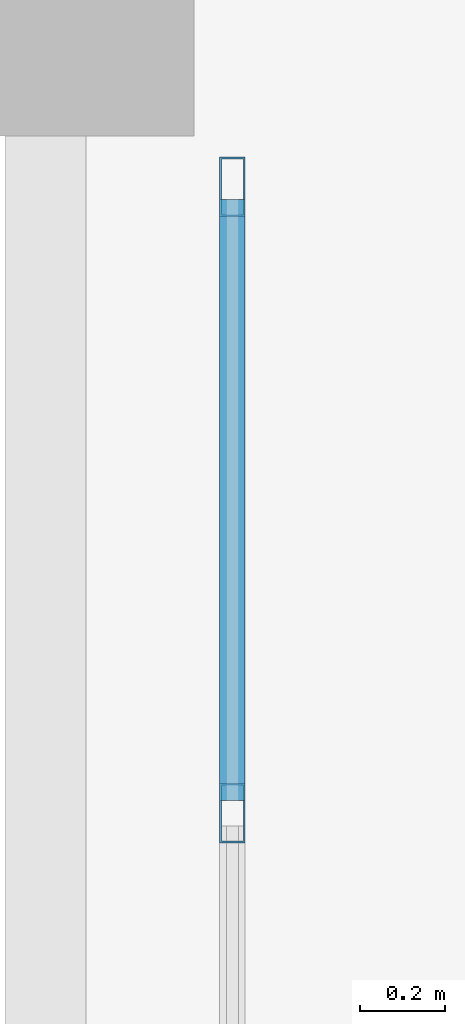
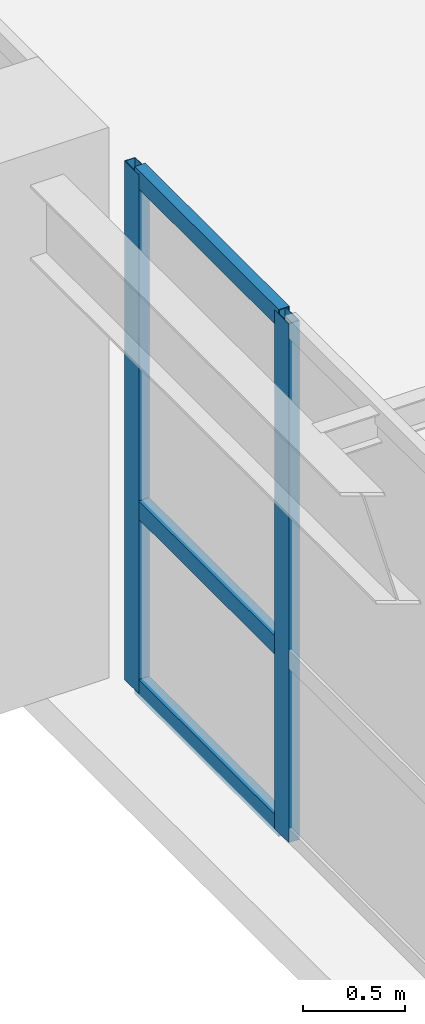
# One storey, part 33 of 148: 5 members, 1 element without a shape of its own.
"""IFC4 building model written with IfcOpenShell, lengths in metres."""

import ifcopenshell
import ifcopenshell.guid

model = None  # the IFC model being written
_history = None  # IfcOwnerHistory: only IFC2X3 demands one
_inside = {}  # id of a spatial element -> (the spatial element, [elements in it])
_under = {}  # id of a project, library or spatial element -> (it, [spatial elements below it])
_declared = {}  # id of a project -> (the project, [libraries it declares])
_typed = {}  # id of a type object -> (the type object, [elements of that type])
_made_of = {}  # id of a material, layer set ... -> (it, [elements and type objects made of it])


def new_model(schema):
    """Start an empty IFC model of exactly this schema.

    Asked for "IFC4X3", IfcOpenShell would pick the latest addendum, in which some entities
    have other attributes; the version numbers below select the first issue.
    IFC2X3 requires an IfcOwnerHistory on every rooted entity: one is made here for all.
    """
    global model, _history
    if schema == "IFC4X3":
        model = ifcopenshell.file(schema_version=(4, 3, 0, 0))
    else:
        model = ifcopenshell.file(schema=schema)
    _inside.clear()
    _under.clear()
    _declared.clear()
    _typed.clear()
    _made_of.clear()
    _history = None
    if model.schema == "IFC2X3":
        org = make("IfcOrganization", Name="unknown")
        user = make(
            "IfcPersonAndOrganization",
            ThePerson=make("IfcPerson", FamilyName="unknown"),
            TheOrganization=org,
        )
        app = make(
            "IfcApplication",
            ApplicationDeveloper=org,
            Version="unknown",
            ApplicationFullName="unknown",
            ApplicationIdentifier="unknown",
        )
        _history = make(
            "IfcOwnerHistory",
            OwningUser=user,
            OwningApplication=app,
            ChangeAction="ADDED",
            CreationDate=0,
        )
    return model


def make(cls, **values):
    """One entity of the class cls with the attributes given. An attribute that is None is left unset."""
    return model.create_entity(
        cls, **{name: value for name, value in values.items() if value is not None}
    )


def rooted(cls, **values):
    """An entity with a GlobalId (a new one), such as an element, a storey or a relation."""
    return make(cls, GlobalId=ifcopenshell.guid.new(), OwnerHistory=_history, **values)


def si_unit(unit_type, name, prefix=None):
    """IfcSIUnit, for example si_unit("LENGTHUNIT", "METRE", prefix="MILLI")."""
    return make("IfcSIUnit", UnitType=unit_type, Prefix=prefix, Name=name)


def assignment(units):
    """IfcUnitAssignment: the units of a project."""
    return None if units is None else make("IfcUnitAssignment", Units=units)


def point(xyz):
    """IfcCartesianPoint."""
    return None if xyz is None else make("IfcCartesianPoint", Coordinates=xyz)


def direction(xyz):
    """IfcDirection."""
    return None if xyz is None else make("IfcDirection", DirectionRatios=xyz)


def frame(location, z_axis=None, x_axis=None):
    """IfcAxis2Placement3D, a coordinate frame: its origin and axes. An axis left out is left unset."""
    return make(
        "IfcAxis2Placement3D",
        Location=point(location),
        Axis=direction(z_axis),
        RefDirection=direction(x_axis),
    )


def frame_2d(location, x_axis=None):
    """IfcAxis2Placement2D, a coordinate frame in the plane: its origin and x axis."""
    return make(
        "IfcAxis2Placement2D", Location=point(location), RefDirection=direction(x_axis)
    )


def origin():
    """The frame at (0, 0, 0) with its axes left unset."""
    return frame((0.0, 0.0, 0.0))


def origin_2d():
    """The frame at (0, 0) in the plane with its x axis left unset."""
    return frame_2d((0.0, 0.0))


def place(relative_to, where):
    """IfcLocalPlacement: puts the frame where relative to a parent placement (None: the world)."""
    return make(
        "IfcLocalPlacement", PlacementRelTo=relative_to, RelativePlacement=where
    )


def context(
    kind, dimensions, precision=None, world=None, true_north=None, identifier=None
):
    """IfcGeometricRepresentationContext, for example the 3D "Model" context."""
    return make(
        "IfcGeometricRepresentationContext",
        ContextIdentifier=identifier,
        ContextType=kind,
        CoordinateSpaceDimension=dimensions,
        Precision=precision,
        WorldCoordinateSystem=world,
        TrueNorth=true_north,
    )


def subcontext(parent, identifier, kind, view, scale=None):
    """IfcGeometricRepresentationSubContext, for example "Body" below "Model"."""
    return make(
        "IfcGeometricRepresentationSubContext",
        ContextIdentifier=identifier,
        ContextType=kind,
        ParentContext=parent,
        TargetScale=scale,
        TargetView=view,
    )


def project(units=None, contexts=None):
    """IfcProject with its units and contexts."""
    return rooted(
        "IfcProject",
        Name="project",
        RepresentationContexts=contexts,
        UnitsInContext=assignment(units),
    )


def spatial(cls, under=None, at=None, **own):
    """A site, building, storey or space (cls), placed at a placement, below another one or the project."""
    s = rooted(cls, ObjectPlacement=at, **own)
    if under is not None:
        _under.setdefault(under.id(), (under, []))[1].append(s)
    return s


def profile(cls, at=None, kind="AREA", **sizes):
    """A parametric profile (cls). Its sizes go by their IFC names, for example OverallWidth=200.0."""
    return make(cls, ProfileType=kind, Position=at, **sizes)


def hollow_rectangle(**sizes):
    """IfcRectangleHollowProfileDef."""
    return profile("IfcRectangleHollowProfileDef", **sizes)


def extrude(swept, where, along, depth):
    """IfcExtrudedAreaSolid: the profile swept, set in the frame where, extruded along a direction by depth."""
    return make(
        "IfcExtrudedAreaSolid",
        SweptArea=swept,
        Position=where,
        ExtrudedDirection=direction(along),
        Depth=depth,
    )


def shape(context_of_items, identifier, shape_type, items):
    """IfcShapeRepresentation: the items that make up one representation, for example the "Body"."""
    return make(
        "IfcShapeRepresentation",
        ContextOfItems=context_of_items,
        RepresentationIdentifier=identifier,
        RepresentationType=shape_type,
        Items=items,
    )


def material(Name=None, Category=None):
    """IfcMaterial."""
    return make("IfcMaterial", Name=Name, Category=Category)


def layer(
    of_material, thickness, ventilated=None, Name=None, Category=None, Priority=None
):
    """IfcMaterialLayer: one layer of a wall or slab, of a material (None: an air gap)."""
    return make(
        "IfcMaterialLayer",
        Material=of_material,
        LayerThickness=thickness,
        IsVentilated=ventilated,
        Name=Name,
        Category=Category,
        Priority=Priority,
    )


def layer_set(layers, Name=None):
    """IfcMaterialLayerSet."""
    return make("IfcMaterialLayerSet", MaterialLayers=layers, LayerSetName=Name)


def material_profile(
    of_material, cross_section, Name=None, Category=None, Priority=None
):
    """IfcMaterialProfile: a cross section and its material."""
    return make(
        "IfcMaterialProfile",
        Name=Name,
        Material=of_material,
        Profile=cross_section,
        Priority=Priority,
        Category=Category,
    )


def profile_set(profiles, Name=None, composite=None):
    """IfcMaterialProfileSet."""
    return make(
        "IfcMaterialProfileSet",
        Name=Name,
        MaterialProfiles=profiles,
        CompositeProfile=composite,
    )


def made_of(thing, what):
    """Note that an element or type object is made of a material, layer set ...; save() writes the relation."""
    if what is not None:
        _made_of.setdefault(what.id(), (what, []))[1].append(thing)
    return thing


def type_object(cls, material=None, **own):
    """A type object (cls), such as IfcWallType, which elements share."""
    return made_of(rooted(cls, **own), material)


def element(
    cls,
    number,
    at=None,
    inside=None,
    cuts=None,
    type_object=None,
    material=None,
    context=None,
    identifier="Body",
    shape_type=None,
    held_by="IfcProductDefinitionShape",
    body=None,
    shapes=None,
    **own,
):
    """One element of the class cls, such as IfcWall. Its Tag is "e" and its number.

    at: its placement. inside: the storey or other place that contains it. cuts: it is an
    opening in that element (IfcRelVoidsElement). A single representation is given by context,
    identifier, shape_type and body (its items); several are given by shapes. held_by: the class
    of the entity that holds the representations. save() writes the other relations.
    """
    e = rooted(cls, Tag="e%d" % number, ObjectPlacement=at, **own)
    if body is not None:
        shapes = [shape(context, identifier, shape_type, body)]
    if shapes is not None:
        e.Representation = make(held_by, Representations=shapes)
    if inside is not None:
        _inside.setdefault(inside.id(), (inside, []))[1].append(e)
    if cuts is not None:
        rooted(
            "IfcRelVoidsElement", RelatingBuildingElement=cuts, RelatedOpeningElement=e
        )
    if type_object is not None:
        _typed.setdefault(type_object.id(), (type_object, []))[1].append(e)
    return made_of(e, material)


def aggregate(whole, parts):
    """IfcRelAggregates: a whole, such as a stair, and the parts it consists of."""
    return rooted("IfcRelAggregates", RelatingObject=whole, RelatedObjects=parts)


def save(model, path):
    """Write the relations noted so far, then the file.

    IfcRelAggregates (storeys below a building ...), IfcRelContainedInSpatialStructure (elements
    in a storey), IfcRelDefinesByType, IfcRelAssociatesMaterial and IfcRelDeclares: one each for
    every whole, place, type object, material and project.
    """
    for whole, parts in _under.values():
        aggregate(whole, parts)
    for where, things in _inside.values():
        rooted(
            "IfcRelContainedInSpatialStructure",
            RelatedElements=things,
            RelatingStructure=where,
        )
    for kind, things in _typed.values():
        rooted("IfcRelDefinesByType", RelatedObjects=things, RelatingType=kind)
    for what, things in _made_of.values():
        rooted("IfcRelAssociatesMaterial", RelatedObjects=things, RelatingMaterial=what)
    for by, libraries in _declared.values():
        rooted("IfcRelDeclares", RelatingContext=by, RelatedDefinitions=libraries)
    model.write(path)


model = new_model("IFC4")

# Units and contexts
model_context = context("Model", 3, precision=1e-05, world=origin(), true_north=direction((0.0, 1.0)))
body_context = subcontext(model_context, "Body", "Model", "MODEL_VIEW")
ifc_project = project(units=[si_unit("LENGTHUNIT", "METRE"), si_unit("AREAUNIT", "SQUARE_METRE"), si_unit("VOLUMEUNIT", "CUBIC_METRE"), si_unit("PLANEANGLEUNIT", "RADIAN"), si_unit("MASSUNIT", "GRAM", prefix="KILO")], contexts=[model_context])

# Site, building, storey
site_placement = place(None, origin())
site = spatial("IfcSite", under=ifc_project, at=site_placement, CompositionType="ELEMENT")
building_placement = place(site_placement, origin())
building = spatial("IfcBuilding", under=site, at=building_placement, Name="Trelvath General Hospital", CompositionType="ELEMENT")
storey_placement = place(building_placement, frame((0.0, 0.0, 12.89990234375)))
storey = spatial("IfcBuildingStorey", under=building, at=storey_placement, Name="L03", CompositionType="ELEMENT", Elevation=12.89990234375)

# Curtain wall, members
ifc_material_1 = material(Name="Anodised aluminium and low-E glass", Category="aluminium")
ifc_layer = layer(ifc_material_1, 0.139892578125)
ifc_layer_set = layer_set([ifc_layer], Name="Anodised aluminium and low-E glass")
curtain_wall_type = type_object("IfcCurtainWallType", Name="CW Bridge 752 311", PredefinedType="USERDEFINED", material=ifc_layer_set)
curtain_wall_placement = place(storey_placement, origin())
curtain_wall = element("IfcCurtainWall", 1, at=curtain_wall_placement, inside=storey, type_object=curtain_wall_type, Name="Glazed Bridge Curtain Wall BRG-S-C W L03", ObjectType="Unitised Glazed Curtain Wall", PredefinedType="USERDEFINED")
ifc_material_2 = material(Name="Anodised aluminium", Category="aluminium")
ifc_material_profile_1 = material_profile(ifc_material_2, hollow_rectangle(XDim=0.06005859375, YDim=0.139892578125, WallThickness=0.00390625, at=origin_2d()), Name="RHS60x140x4")
ifc_profile_set_1 = profile_set([ifc_material_profile_1], Name="Anodised aluminium")
member_type_1 = type_object("IfcMemberType", Name="CurtainMullion 60x140", PredefinedType="MULLION", material=ifc_profile_set_1)
member_1_placement = place(storey_placement, frame((76.0400390625, 31.656005859375, 0.0), z_axis=(0.0, 0.0, 1.0), x_axis=(-1.0, 0.0, 0.0)))
member_1 = element("IfcMember", 2, at=member_1_placement, type_object=member_type_1, Name="CW-264 mullion 5", PredefinedType="MULLION", context=body_context, shape_type="SweptSolid", body=[
    extrude(hollow_rectangle(XDim=0.06005859375, YDim=0.139892578125, WallThickness=0.00390625, at=origin_2d()), origin(), (0.0, 0.0, 1.0), 3.110107421875),
])
member_2_placement = place(storey_placement, frame((76.0400390625, 33.1298828125, 0.0), z_axis=(0.0, 0.0, 1.0), x_axis=(-1.0, 0.0, 0.0)))
member_2 = element("IfcMember", 3, at=member_2_placement, type_object=member_type_1, Name="CW-264 mullion 6", PredefinedType="MULLION", context=body_context, shape_type="SweptSolid", body=[
    extrude(hollow_rectangle(XDim=0.06005859375, YDim=0.139892578125, WallThickness=0.00390625, at=origin_2d()), origin(), (0.0, 0.0, 1.0), 3.110107421875),
])
ifc_material_3 = material(Name="Anodised aluminium", Category="aluminium")
ifc_material_profile_2 = material_profile(ifc_material_3, hollow_rectangle(XDim=0.06005859375, YDim=0.110107421875, WallThickness=0.00390625, at=origin_2d()), Name="RHS60x110x4")
ifc_profile_set_2 = profile_set([ifc_material_profile_2], Name="Anodised aluminium")
member_type_2 = type_object("IfcMemberType", Name="CurtainTransom 60x110", PredefinedType="USERDEFINED", material=ifc_profile_set_2)
member_3_placement = place(storey_placement, frame((76.0400390625, 31.68603515625, 0.030029296875), z_axis=(0.0, 1.0, 0.0), x_axis=(-1.0, 0.0, 0.0)))
member_3 = element("IfcMember", 4, at=member_3_placement, type_object=member_type_2, Name="CW-264 transom 5.1", ObjectType="TRANSOM", PredefinedType="USERDEFINED", context=body_context, shape_type="SweptSolid", body=[
    extrude(hollow_rectangle(XDim=0.06005859375, YDim=0.110107421875, WallThickness=0.00390625, at=origin_2d()), origin(), (0.0, 0.0, 1.0), 1.4140625),
])
member_4_placement = place(storey_placement, frame((76.0400390625, 31.68603515625, 1.10009765625), z_axis=(0.0, 1.0, 0.0), x_axis=(-1.0, 0.0, 0.0)))
member_4 = element("IfcMember", 5, at=member_4_placement, type_object=member_type_2, Name="CW-264 transom 5.2", ObjectType="TRANSOM", PredefinedType="USERDEFINED", context=body_context, shape_type="SweptSolid", body=[
    extrude(hollow_rectangle(XDim=0.06005859375, YDim=0.110107421875, WallThickness=0.00390625, at=origin_2d()), origin(), (0.0, 0.0, 1.0), 1.4140625),
])
member_5_placement = place(storey_placement, frame((76.0400390625, 31.68603515625, 3.080078125), z_axis=(0.0, 1.0, 0.0), x_axis=(-1.0, 0.0, 0.0)))
member_5 = element("IfcMember", 6, at=member_5_placement, type_object=member_type_2, Name="CW-264 transom 5.3", ObjectType="TRANSOM", PredefinedType="USERDEFINED", context=body_context, shape_type="SweptSolid", body=[
    extrude(hollow_rectangle(XDim=0.06005859375, YDim=0.110107421875, WallThickness=0.00390625, at=origin_2d()), origin(), (0.0, 0.0, 1.0), 1.4140625),
])
aggregate(curtain_wall, [member_1, member_2, member_3, member_4, member_5])

save(model, "model.ifc")
